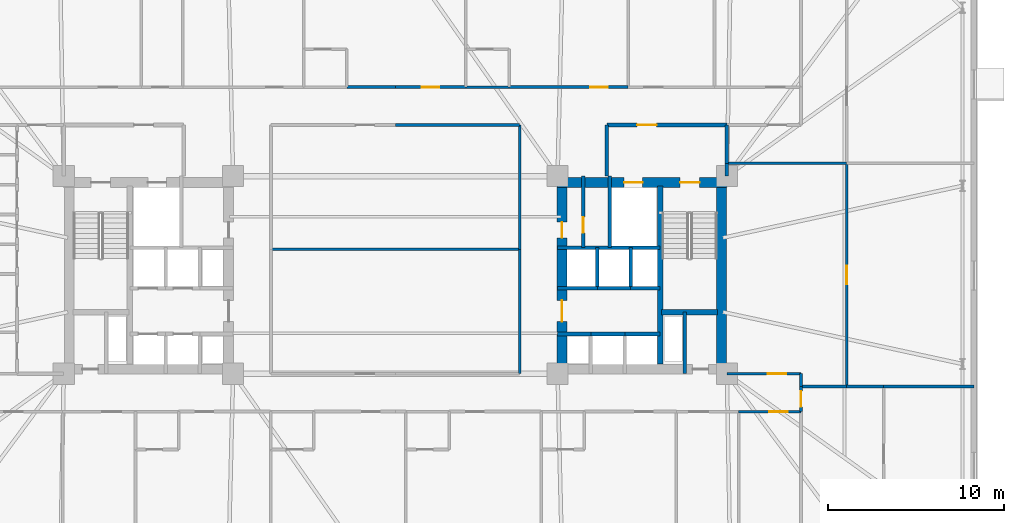
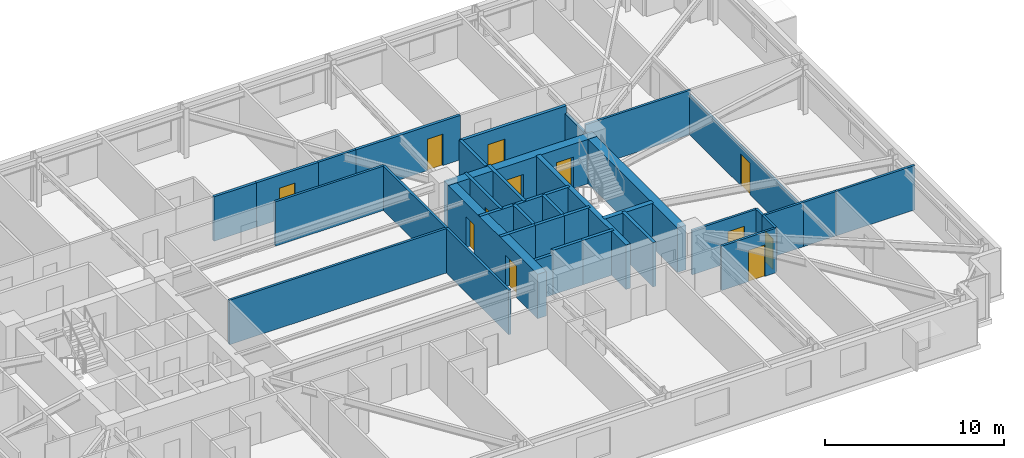
# One storey, part 17 of 21: 38 walls, 12 doors, 12 openings.
"""IFC4 building model written with IfcOpenShell, lengths in metres."""

from ifc_helpers import new_model, si_unit, direction, frame, frame_2d, origin, place, context, subcontext, project, spatial, rectangle, extrude, material, layer, layer_set, type_object, element, fill, save


model = new_model("IFC4")

# Units and contexts
model_context = context("Model", 3, precision=1e-05, world=origin(), true_north=direction((0.0, 1.0)))
body_context = subcontext(model_context, "Body", "Model", "MODEL_VIEW")
ifc_project = project(units=[si_unit("LENGTHUNIT", "METRE"), si_unit("AREAUNIT", "SQUARE_METRE"), si_unit("VOLUMEUNIT", "CUBIC_METRE"), si_unit("PLANEANGLEUNIT", "RADIAN"), si_unit("MASSUNIT", "GRAM", prefix="KILO")], contexts=[model_context])

# Site, building, storey
site_placement = place(None, origin())
site = spatial("IfcSite", under=ifc_project, at=site_placement, CompositionType="ELEMENT")
building_placement = place(site_placement, origin())
building = spatial("IfcBuilding", under=site, at=building_placement, Name="Qobustan Lattice House", CompositionType="ELEMENT")
storey_placement = place(building_placement, frame((0.0, 0.0, 37.050048828125)))
storey = spatial("IfcBuildingStorey", under=building, at=storey_placement, Name="L09", CompositionType="ELEMENT", Elevation=37.050048828125)

# Wall, openings, doors
ifc_material_1 = material(Name="Concrete C60/75", Category="concrete")
ifc_layer_1 = layer(ifc_material_1, 0.56005859375)
ifc_layer_set_1 = layer_set([ifc_layer_1], Name="Concrete C60/75")
wall_type_1 = type_object("IfcWallType", Name="WAL-CORE-600", PredefinedType="SHEAR", material=ifc_layer_set_1)
wall_1_placement = place(storey_placement, frame((9.199951171875, 5.239990234375, 0.0), z_axis=(0.0, 0.0, 1.0), x_axis=(1.0, 0.0, 0.0)))
wall_1 = element("IfcWall", 1, at=wall_1_placement, inside=storey, type_object=wall_type_1, Name="L09 split-core shear wall CE-N", PredefinedType="SHEAR", context=body_context, shape_type="SweptSolid", body=[
    extrude(rectangle(XDim=9.60009765625, YDim=0.56005859375, at=frame_2d((4.800048828125, 0.0))), origin(), (0.0, 0.0, 1.0), 3.034912109375),
])
opening_1_placement = place(wall_1_placement, frame((6.949951171875, 0.0, 0.0)))
opening_1 = element("IfcOpeningElement", 2, at=opening_1_placement, cuts=wall_1, Name="Opening SD-01", PredefinedType="OPENING", context=body_context, shape_type="SweptSolid", body=[
    extrude(rectangle(XDim=1.10009765625, YDim=2.14990234375, at=frame_2d((0.550048828125, 1.074951171875))), frame((0.0, 0.2900390625, 0.0), z_axis=(0.0, -1.0, 0.0), x_axis=(1.0, 0.0, 0.0)), (0.0, 0.0, 1.0), 0.580078125),
])
opening_2_placement = place(wall_1_placement, frame((3.77490234375, 0.0, 0.0)))
opening_2 = element("IfcOpeningElement", 3, at=opening_2_placement, cuts=wall_1, Name="Opening LD-01", PredefinedType="OPENING", context=body_context, shape_type="SweptSolid", body=[
    extrude(rectangle(XDim=1.050048828125, YDim=2.10009765625, at=frame_2d((0.52490234375, 1.050048828125))), frame((0.0, 0.2900390625, 0.0), z_axis=(0.0, -1.0, 0.0), x_axis=(1.0, 0.0, 0.0)), (0.0, 0.0, 1.0), 0.580078125),
])
ifc_material_2 = material(Name="Persian walnut timber and steel frame door", Category="steel")
door_type_1 = type_object("IfcDoorType", Name="DOR-LIFT-LD-1050x2100", OperationType="NOTDEFINED", PredefinedType="DOOR", material=ifc_material_2)
door_1_placement = place(opening_2_placement, origin())
door_1 = element("IfcDoor", 4, at=door_1_placement, inside=storey, type_object=door_type_1, Name="L09 firefighting lift FF-E landing door", OperationType="DOUBLE_DOOR_SLIDING", OverallHeight=2.10009765625, OverallWidth=1.050048828125, PredefinedType="DOOR", context=body_context, shape_type="SweptSolid", body=[
    extrude(rectangle(XDim=1.050048828125, YDim=2.10009765625, at=frame_2d((0.52490234375, 1.050048828125))), frame((0.0, 0.02490234375, 0.0), z_axis=(0.0, -1.0, 0.0), x_axis=(1.0, 0.0, 0.0)), (0.0, 0.0, 1.0), 0.050048828125),
])
fill(opening_2, door_1)
ifc_material_3 = material(Name="Persian walnut timber and steel frame door", Category="steel")
door_type_2 = type_object("IfcDoorType", Name="DOR-STAIR-FD-1100x2150", OperationType="NOTDEFINED", PredefinedType="DOOR", material=ifc_material_3)
door_2_placement = place(opening_1_placement, origin())
door_2 = element("IfcDoor", 5, at=door_2_placement, inside=storey, type_object=door_type_2, Name="L09 exit stair ST-E1 fire door", OperationType="SINGLE_SWING_RIGHT", OverallHeight=2.14990234375, OverallWidth=1.10009765625, PredefinedType="DOOR", context=body_context, shape_type="SweptSolid", body=[
    extrude(rectangle(XDim=1.10009765625, YDim=2.14990234375, at=frame_2d((0.550048828125, 1.074951171875))), frame((0.0, 0.02490234375, 0.0), z_axis=(0.0, -1.0, 0.0), x_axis=(1.0, 0.0, 0.0)), (0.0, 0.0, 1.0), 0.050048828125),
])
fill(opening_1, door_2)

wall_2_placement = place(storey_placement, frame((9.449951171875, -5.050048828125, 0.0), z_axis=(0.0, 0.0, 1.0), x_axis=(0.0, 1.0, 0.0)))
wall_2 = element("IfcWall", 6, at=wall_2_placement, inside=storey, type_object=wall_type_1, Name="L09 split-core shear wall CE-W", PredefinedType="SHEAR", context=body_context, shape_type="SweptSolid", body=[
    extrude(rectangle(XDim=10.10009765625, YDim=0.56005859375, at=frame_2d((5.050048828125, 0.0))), origin(), (0.0, 0.0, 1.0), 3.034912109375),
])
opening_3_placement = place(wall_2_placement, frame((7.14990234375, 0.0, 0.0)))
opening_3 = element("IfcOpeningElement", 7, at=opening_3_placement, cuts=wall_2, Name="Opening RD-01", PredefinedType="OPENING", context=body_context, shape_type="SweptSolid", body=[
    extrude(rectangle(XDim=0.89990234375, YDim=2.10009765625, at=frame_2d((0.449951171875, 1.050048828125))), frame((0.0, 0.2900390625, 0.0), z_axis=(0.0, -1.0, 0.0), x_axis=(1.0, 0.0, 0.0)), (0.0, 0.0, 1.0), 0.580078125),
])
opening_4_placement = place(wall_2_placement, frame((2.39990234375, 0.0, 0.0)))
opening_4 = element("IfcOpeningElement", 8, at=opening_4_placement, cuts=wall_2, Name="Opening FD-01", PredefinedType="OPENING", context=body_context, shape_type="SweptSolid", body=[
    extrude(rectangle(XDim=1.199951171875, YDim=2.14990234375, at=frame_2d((0.60009765625, 1.074951171875))), frame((0.0, 0.2900390625, 0.0), z_axis=(0.0, -1.0, 0.0), x_axis=(1.0, 0.0, 0.0)), (0.0, 0.0, 1.0), 0.580078125),
])
ifc_material_4 = material(Name="Persian walnut timber and steel frame door", Category="steel")
door_type_3 = type_object("IfcDoorType", Name="DOR-LOBBY-FD-1200x2150", OperationType="NOTDEFINED", PredefinedType="DOOR", material=ifc_material_4)
door_3_placement = place(opening_4_placement, origin())
door_3 = element("IfcDoor", 9, at=door_3_placement, inside=storey, type_object=door_type_3, Name="L09 East passenger lift lobby fire door", OperationType="SINGLE_SWING_LEFT", OverallHeight=2.14990234375, OverallWidth=1.199951171875, PredefinedType="DOOR", context=body_context, shape_type="SweptSolid", body=[
    extrude(rectangle(XDim=1.199951171875, YDim=2.14990234375, at=frame_2d((0.60009765625, 1.074951171875))), frame((0.0, 0.02490234375, 0.0), z_axis=(0.0, -1.0, 0.0), x_axis=(1.0, 0.0, 0.0)), (0.0, 0.0, 1.0), 0.050048828125),
])
fill(opening_4, door_3)
ifc_material_5 = material(Name="Persian walnut timber and steel frame door", Category="steel")
door_type_4 = type_object("IfcDoorType", Name="DOR-RISER-FD-900x2100", OperationType="NOTDEFINED", PredefinedType="DOOR", material=ifc_material_5)
door_4_placement = place(opening_3_placement, origin())
door_4 = element("IfcDoor", 10, at=door_4_placement, inside=storey, type_object=door_type_4, Name="L09 Print and mail closet fire door", OperationType="SINGLE_SWING_RIGHT", OverallHeight=2.10009765625, OverallWidth=0.89990234375, PredefinedType="DOOR", context=body_context, shape_type="SweptSolid", body=[
    extrude(rectangle(XDim=0.89990234375, YDim=2.10009765625, at=frame_2d((0.449951171875, 1.050048828125))), frame((0.0, 0.02490234375, 0.0), z_axis=(0.0, -1.0, 0.0), x_axis=(1.0, 0.0, 0.0)), (0.0, 0.0, 1.0), 0.050048828125),
])
fill(opening_3, door_4)

# Walls
wall_3_placement = place(storey_placement, frame((18.489990234375, -5.050048828125, 0.0), z_axis=(0.0, 0.0, 1.0), x_axis=(0.0, 1.0, 0.0)))
element("IfcWall", 11, at=wall_3_placement, inside=storey, type_object=wall_type_1, Name="L09 split-core shear wall CE-E", PredefinedType="SHEAR", context=body_context, shape_type="SweptSolid", body=[
    extrude(rectangle(XDim=10.10009765625, YDim=0.56005859375, at=frame_2d((5.050048828125, 0.0))), origin(), (0.0, 0.0, 1.0), 3.034912109375),
])
ifc_material_6 = material(Name="Concrete C50/60", Category="concrete")
ifc_layer_2 = layer(ifc_material_6, 0.280029296875)
ifc_layer_set_2 = layer_set([ifc_layer_2], Name="Concrete C50/60")
wall_type_2 = type_object("IfcWallType", Name="WAL-CORE-SPINE-280", PredefinedType="SHEAR", material=ifc_layer_set_2)
wall_4_placement = place(storey_placement, frame((15.02001953125, -5.050048828125, 0.0), z_axis=(0.0, 0.0, 1.0), x_axis=(0.0, 1.0, 0.0)))
element("IfcWall", 12, at=wall_4_placement, inside=storey, type_object=wall_type_2, Name="L09 split-core shear wall CE-M", PredefinedType="SHEAR", context=body_context, shape_type="SweptSolid", body=[
    extrude(rectangle(XDim=10.10009765625, YDim=0.300048828125, at=frame_2d((5.050048828125, 0.0))), origin(), (0.0, 0.0, 1.0), 3.034912109375),
])
wall_5_placement = place(storey_placement, frame((15.10009765625, -2.110107421875, 0.0), z_axis=(0.0, 0.0, 1.0), x_axis=(1.0, 0.0, 0.0)))
element("IfcWall", 13, at=wall_5_placement, inside=storey, type_object=wall_type_2, Name="L09 split-core shear wall CE-ST", PredefinedType="SHEAR", context=body_context, shape_type="SweptSolid", body=[
    extrude(rectangle(XDim=3.179931640625, YDim=0.300048828125, at=frame_2d((1.58984375, 0.0))), origin(), (0.0, 0.0, 1.0), 3.034912109375),
])

# Wall, opening, door
ifc_material_7 = material(Name="Gypsum fireboard acoustic partition", Category="gypsum")
ifc_layer_3 = layer(ifc_material_7, 0.179931640625)
ifc_layer_set_3 = layer_set([ifc_layer_3], Name="Gypsum fireboard acoustic partition")
wall_type_3 = type_object("IfcWallType", Name="WAL-FIRE-180", PredefinedType="PARTITIONING", material=ifc_layer_set_3)
wall_6_placement = place(storey_placement, frame((10.64990234375, 1.550048828125, 0.0), z_axis=(0.0, 0.0, 1.0), x_axis=(0.0, 1.0, 0.0)))
wall_6 = element("IfcWall", 14, at=wall_6_placement, inside=storey, type_object=wall_type_3, Name="L09 interior partition 24", PredefinedType="PARTITIONING", context=body_context, shape_type="SweptSolid", body=[
    extrude(rectangle(XDim=4.050048828125, YDim=0.179931640625, at=frame_2d((2.02490234375, 0.0))), origin(), (0.0, 0.0, 1.0), 3.034912109375),
])
opening_5_placement = place(wall_6_placement, frame((0.828857421875, 0.0, 0.0)))
opening_5 = element("IfcOpeningElement", 15, at=opening_5_placement, cuts=wall_6, Name="Opening RD-01", PredefinedType="OPENING", context=body_context, shape_type="SweptSolid", body=[
    extrude(rectangle(XDim=0.89990234375, YDim=2.10009765625, at=frame_2d((0.449951171875, 1.050048828125))), frame((0.0, 0.099853515625, 0.0), z_axis=(0.0, -1.0, 0.0), x_axis=(1.0, 0.0, 0.0)), (0.0, 0.0, 1.0), 0.199951171875),
])
door_5_placement = place(opening_5_placement, origin())
door_5 = element("IfcDoor", 16, at=door_5_placement, inside=storey, type_object=door_type_4, Name="L09 Print and mail closet to Core utility store door", OperationType="SINGLE_SWING_LEFT", OverallHeight=2.10009765625, OverallWidth=0.89990234375, PredefinedType="DOOR", context=body_context, shape_type="SweptSolid", body=[
    extrude(rectangle(XDim=0.89990234375, YDim=2.10009765625, at=frame_2d((0.449951171875, 1.050048828125))), frame((0.0, 0.02490234375, 0.0), z_axis=(0.0, -1.0, 0.0), x_axis=(1.0, 0.0, 0.0)), (0.0, 0.0, 1.0), 0.050048828125),
])
fill(opening_5, door_5)

# Wall
wall_7_placement = place(storey_placement, frame((-2.75, 10.64990234375, 0.0), z_axis=(0.0, 0.0, 1.0), x_axis=(1.0, 0.0, 0.0)))
element("IfcWall", 17, at=wall_7_placement, inside=storey, type_object=wall_type_3, Name="L09 interior partition 42", PredefinedType="PARTITIONING", context=body_context, shape_type="SweptSolid", body=[
    extrude(rectangle(XDim=2.75, YDim=0.179931640625, at=frame_2d((1.375, 0.0))), origin(), (0.0, 0.0, 1.0), 3.034912109375),
])

# Wall, opening, door
wall_8_placement = place(storey_placement, frame((0.0, 10.64990234375, 0.0), z_axis=(0.0, 0.0, 1.0), x_axis=(1.0, 0.0, 0.0)))
wall_8 = element("IfcWall", 18, at=wall_8_placement, inside=storey, type_object=wall_type_3, Name="L09 interior partition 47", PredefinedType="PARTITIONING", context=body_context, shape_type="SweptSolid", body=[
    extrude(rectangle(XDim=4.0, YDim=0.179931640625, at=frame_2d((2.0, 0.0))), origin(), (0.0, 0.0, 1.0), 3.034912109375),
])
opening_6_placement = place(wall_8_placement, frame((1.5, 0.0, 0.0)))
opening_6 = element("IfcOpeningElement", 19, at=opening_6_placement, cuts=wall_8, Name="Opening FD-02", PredefinedType="OPENING", context=body_context, shape_type="SweptSolid", body=[
    extrude(rectangle(XDim=1.0, YDim=2.14990234375, at=frame_2d((0.5, 1.074951171875))), frame((0.0, 0.099853515625, 0.0), z_axis=(0.0, -1.0, 0.0), x_axis=(1.0, 0.0, 0.0)), (0.0, 0.0, 1.0), 0.199951171875),
])
ifc_material_8 = material(Name="Persian walnut timber and steel frame door", Category="steel")
door_type_5 = type_object("IfcDoorType", Name="DOR-UNIT-FD-1000x2150", OperationType="NOTDEFINED", PredefinedType="DOOR", material=ifc_material_8)
door_6_placement = place(opening_6_placement, origin())
door_6 = element("IfcDoor", 20, at=door_6_placement, inside=storey, type_object=door_type_5, Name="L09 North-east floor corridor to Kitchenette and studio apartment L09-N3 door", OperationType="SINGLE_SWING_RIGHT", OverallHeight=2.14990234375, OverallWidth=1.0, PredefinedType="DOOR", context=body_context, shape_type="SweptSolid", body=[
    extrude(rectangle(XDim=1.0, YDim=2.14990234375, at=frame_2d((0.5, 1.074951171875))), frame((0.0, 0.02490234375, 0.0), z_axis=(0.0, -1.0, 0.0), x_axis=(1.0, 0.0, 0.0)), (0.0, 0.0, 1.0), 0.050048828125),
])
fill(opening_6, door_6)

wall_9_placement = place(storey_placement, frame((6.449951171875, 10.64990234375, 0.0), z_axis=(0.0, 0.0, 1.0), x_axis=(1.0, 0.0, 0.0)))
wall_9 = element("IfcWall", 21, at=wall_9_placement, inside=storey, type_object=wall_type_3, Name="L09 interior partition 48", PredefinedType="PARTITIONING", context=body_context, shape_type="SweptSolid", body=[
    extrude(rectangle(XDim=6.75, YDim=0.179931640625, at=frame_2d((3.375, 0.0))), origin(), (0.0, 0.0, 1.0), 3.034912109375),
])
opening_7_placement = place(wall_9_placement, frame((4.59619140625, 0.0, 0.0)))
opening_7 = element("IfcOpeningElement", 22, at=opening_7_placement, cuts=wall_9, Name="Opening FD-02", PredefinedType="OPENING", context=body_context, shape_type="SweptSolid", body=[
    extrude(rectangle(XDim=1.0, YDim=2.14990234375, at=frame_2d((0.5, 1.074951171875))), frame((0.0, 0.099853515625, 0.0), z_axis=(0.0, -1.0, 0.0), x_axis=(1.0, 0.0, 0.0)), (0.0, 0.0, 1.0), 0.199951171875),
])
door_7_placement = place(opening_7_placement, origin())
door_7 = element("IfcDoor", 23, at=door_7_placement, inside=storey, type_object=door_type_5, Name="L09 North-east floor corridor to Kitchenette and studio apartment L09-N4 door", OperationType="SINGLE_SWING_LEFT", OverallHeight=2.14990234375, OverallWidth=1.0, PredefinedType="DOOR", context=body_context, shape_type="SweptSolid", body=[
    extrude(rectangle(XDim=1.0, YDim=2.14990234375, at=frame_2d((0.5, 1.074951171875))), frame((0.0, 0.02490234375, 0.0), z_axis=(0.0, -1.0, 0.0), x_axis=(1.0, 0.0, 0.0)), (0.0, 0.0, 1.0), 0.050048828125),
])
fill(opening_7, door_7)

# Wall
ifc_material_9 = material(Name="Acoustic twin-stud gypsum partition", Category="gypsum")
ifc_layer_4 = layer(ifc_material_9, 0.14990234375)
ifc_layer_set_4 = layer_set([ifc_layer_4], Name="Acoustic twin-stud gypsum partition")
wall_type_4 = type_object("IfcWallType", Name="WAL-PART-150", PredefinedType="PARTITIONING", material=ifc_layer_set_4)
wall_10_placement = place(storey_placement, frame((7.050048828125, 8.5, 0.0), z_axis=(0.0, 0.0, 1.0), x_axis=(-1.0, 0.0, 0.0)))
element("IfcWall", 24, at=wall_10_placement, inside=storey, type_object=wall_type_4, Name="L09 interior partition 52", PredefinedType="PARTITIONING", context=body_context, shape_type="SweptSolid", body=[
    extrude(rectangle(XDim=7.050048828125, YDim=0.14990234375, at=frame_2d((3.52490234375, 0.0))), origin(), (0.0, 0.0, 1.0), 3.034912109375),
])

# Wall, opening, door
wall_11_placement = place(storey_placement, frame((23.0, -6.326904296875, 0.0), z_axis=(0.0, 0.0, 1.0), x_axis=(0.0, -1.0, 0.0)))
wall_11 = element("IfcWall", 25, at=wall_11_placement, inside=storey, type_object=wall_type_4, Name="L09 interior partition 62", PredefinedType="PARTITIONING", context=body_context, shape_type="SweptSolid", body=[
    extrude(rectangle(XDim=1.423095703125, YDim=0.14990234375, at=frame_2d((0.71142578125, 0.0))), origin(), (0.0, 0.0, 1.0), 3.034912109375),
])
opening_8_placement = place(wall_11_placement, frame((0.261474609375, 0.0, 0.0)))
opening_8 = element("IfcOpeningElement", 26, at=opening_8_placement, cuts=wall_11, Name="Opening WD-01", PredefinedType="OPENING", context=body_context, shape_type="SweptSolid", body=[
    extrude(rectangle(XDim=0.89990234375, YDim=2.10009765625, at=frame_2d((0.449951171875, 1.050048828125))), frame((0.0, 0.0849609375, 0.0), z_axis=(0.0, -1.0, 0.0), x_axis=(1.0, 0.0, 0.0)), (0.0, 0.0, 1.0), 0.169921875),
])
ifc_material_10 = material(Name="Persian walnut timber and steel frame door", Category="steel")
door_type_6 = type_object("IfcDoorType", Name="DOR-WET-900x2100", OperationType="NOTDEFINED", PredefinedType="DOOR", material=ifc_material_10)
door_8_placement = place(opening_8_placement, origin())
door_8 = element("IfcDoor", 27, at=door_8_placement, inside=storey, type_object=door_type_6, Name="L09 South-east floor corridor to Focus study room E1A door", OperationType="SINGLE_SWING_LEFT", OverallHeight=2.10009765625, OverallWidth=0.89990234375, PredefinedType="DOOR", context=body_context, shape_type="SweptSolid", body=[
    extrude(rectangle(XDim=0.89990234375, YDim=2.10009765625, at=frame_2d((0.449951171875, 1.050048828125))), frame((0.0, 0.02490234375, 0.0), z_axis=(0.0, -1.0, 0.0), x_axis=(1.0, 0.0, 0.0)), (0.0, 0.0, 1.0), 0.050048828125),
])
fill(opening_8, door_8)

wall_12_placement = place(storey_placement, frame((18.800048828125, -5.60009765625, 0.0), z_axis=(0.0, 0.0, 1.0), x_axis=(1.0, 0.0, 0.0)))
wall_12 = element("IfcWall", 28, at=wall_12_placement, inside=storey, type_object=wall_type_4, Name="L09 interior partition 63", PredefinedType="PARTITIONING", context=body_context, shape_type="SweptSolid", body=[
    extrude(rectangle(XDim=4.199951171875, YDim=0.14990234375, at=frame_2d((2.10009765625, 0.0))), origin(), (0.0, 0.0, 1.0), 3.034912109375),
])
opening_9_placement = place(wall_12_placement, frame((2.3212890625, 0.0, 0.0)))
opening_9 = element("IfcOpeningElement", 29, at=opening_9_placement, cuts=wall_12, Name="Opening ID-02", PredefinedType="OPENING", context=body_context, shape_type="SweptSolid", body=[
    extrude(rectangle(XDim=1.050048828125, YDim=2.14990234375, at=frame_2d((0.52490234375, 1.074951171875))), frame((0.0, 0.0849609375, 0.0), z_axis=(0.0, -1.0, 0.0), x_axis=(1.0, 0.0, 0.0)), (0.0, 0.0, 1.0), 0.169921875),
])
ifc_material_11 = material(Name="Persian walnut timber and steel frame door", Category="steel")
door_type_7 = type_object("IfcDoorType", Name="DOR-STUDY-1050x2150", OperationType="NOTDEFINED", PredefinedType="DOOR", material=ifc_material_11)
door_9_placement = place(opening_9_placement, origin())
door_9 = element("IfcDoor", 30, at=door_9_placement, inside=storey, type_object=door_type_7, Name="L09 South-east floor corridor to Focus study room E2A door", OperationType="SINGLE_SWING_RIGHT", OverallHeight=2.14990234375, OverallWidth=1.050048828125, PredefinedType="DOOR", context=body_context, shape_type="SweptSolid", body=[
    extrude(rectangle(XDim=1.050048828125, YDim=2.14990234375, at=frame_2d((0.52490234375, 1.074951171875))), frame((0.0, 0.02490234375, 0.0), z_axis=(0.0, -1.0, 0.0), x_axis=(1.0, 0.0, 0.0)), (0.0, 0.0, 1.0), 0.050048828125),
])
fill(opening_9, door_9)

# Wall
wall_13_placement = place(storey_placement, frame((23.0, -5.60009765625, 0.0), z_axis=(0.0, 0.0, 1.0), x_axis=(0.0, -1.0, 0.0)))
element("IfcWall", 31, at=wall_13_placement, inside=storey, type_object=wall_type_4, Name="L09 interior partition 64", PredefinedType="PARTITIONING", context=body_context, shape_type="SweptSolid", body=[
    extrude(rectangle(XDim=0.726806640625, YDim=0.14990234375, at=frame_2d((0.36328125, 0.0))), origin(), (0.0, 0.0, 1.0), 3.034912109375),
])

# Wall, opening, door
wall_14_placement = place(storey_placement, frame((23.0, -7.75, 0.0), z_axis=(0.0, 0.0, 1.0), x_axis=(-1.0, 0.0, 0.0)))
wall_14 = element("IfcWall", 32, at=wall_14_placement, inside=storey, type_object=wall_type_4, Name="L09 interior partition 71", PredefinedType="PARTITIONING", context=body_context, shape_type="SweptSolid", body=[
    extrude(rectangle(XDim=3.533447265625, YDim=0.14990234375, at=frame_2d((1.7666015625, 0.0))), origin(), (0.0, 0.0, 1.0), 3.034912109375),
])
opening_10_placement = place(wall_14_placement, frame((0.745361328125, 0.0, 0.0)))
opening_10 = element("IfcOpeningElement", 33, at=opening_10_placement, cuts=wall_14, Name="Opening ID-02", PredefinedType="OPENING", context=body_context, shape_type="SweptSolid", body=[
    extrude(rectangle(XDim=1.050048828125, YDim=2.14990234375, at=frame_2d((0.52490234375, 1.074951171875))), frame((0.0, 0.0849609375, 0.0), z_axis=(0.0, -1.0, 0.0), x_axis=(1.0, 0.0, 0.0)), (0.0, 0.0, 1.0), 0.169921875),
])
door_10_placement = place(opening_10_placement, origin())
door_10 = element("IfcDoor", 34, at=door_10_placement, inside=storey, type_object=door_type_7, Name="L09 South-east floor corridor to Academic seminar room door", OperationType="SINGLE_SWING_RIGHT", OverallHeight=2.14990234375, OverallWidth=1.050048828125, PredefinedType="DOOR", context=body_context, shape_type="SweptSolid", body=[
    extrude(rectangle(XDim=1.050048828125, YDim=2.14990234375, at=frame_2d((0.52490234375, 1.074951171875))), frame((0.0, 0.02490234375, 0.0), z_axis=(0.0, -1.0, 0.0), x_axis=(1.0, 0.0, 0.0)), (0.0, 0.0, 1.0), 0.050048828125),
])
fill(opening_10, door_10)

# Walls
for number, where, z_axis, x_axis, name in (
    (35, (7.050048828125, -5.60009765625, 0.0), (0.0, 0.0, 1.0), (0.0, 1.0, 0.0), "L09 interior partition 75"),
    (36, (7.050048828125, 1.449951171875, 0.0), (0.0, 0.0, 1.0), (0.0, 1.0, 0.0), "L09 interior partition 76"),
):
    element("IfcWall", number, at=place(storey_placement, frame(where, z_axis=z_axis, x_axis=x_axis)), inside=storey, type_object=wall_type_4, Name=name, PredefinedType="PARTITIONING", context=body_context, shape_type="SweptSolid", body=[
        extrude(rectangle(XDim=7.050048828125, YDim=0.14990234375, at=frame_2d((3.52490234375, 0.0))), origin(), (0.0, 0.0, 1.0), 3.034912109375),
    ])
wall_15_placement = place(storey_placement, frame((23.0, -6.326904296875, 0.0), z_axis=(0.0, 0.0, 1.0), x_axis=(1.0, 0.0, 0.0)))
element("IfcWall", 37, at=wall_15_placement, inside=storey, type_object=wall_type_4, Name="L09 interior partition 92", PredefinedType="PARTITIONING", context=body_context, shape_type="SweptSolid", body=[
    extrude(rectangle(XDim=2.590087890625, YDim=0.14990234375, at=frame_2d((1.294921875, 0.0))), origin(), (0.0, 0.0, 1.0), 3.034912109375),
])
wall_16_placement = place(storey_placement, frame((25.590087890625, -6.326904296875, 0.0), z_axis=(0.0, 0.0, 1.0), x_axis=(1.0, 0.0, 0.0)))
element("IfcWall", 38, at=wall_16_placement, inside=storey, type_object=wall_type_4, Name="L09 interior partition 93", PredefinedType="PARTITIONING", context=body_context, shape_type="SweptSolid", body=[
    extrude(rectangle(XDim=2.099853515625, YDim=0.14990234375, at=frame_2d((1.0498046875, 0.0))), origin(), (0.0, 0.0, 1.0), 3.034912109375),
])
wall_17_placement = place(storey_placement, frame((27.68994140625, -6.326904296875, 0.0), z_axis=(0.0, 0.0, 1.0), x_axis=(1.0, 0.0, 0.0)))
element("IfcWall", 39, at=wall_17_placement, inside=storey, type_object=wall_type_4, Name="L09 interior partition 95", PredefinedType="PARTITIONING", context=body_context, shape_type="SweptSolid", body=[
    extrude(rectangle(XDim=5.110107421875, YDim=0.14990234375, at=frame_2d((2.55517578125, 0.0))), origin(), (0.0, 0.0, 1.0), 3.034912109375),
])

# Wall, opening, door
wall_18_placement = place(storey_placement, frame((25.590087890625, 6.326904296875, 0.0), z_axis=(0.0, 0.0, 1.0), x_axis=(0.0, -1.0, 0.0)))
wall_18 = element("IfcWall", 40, at=wall_18_placement, inside=storey, type_object=wall_type_4, Name="L09 interior partition 96", PredefinedType="PARTITIONING", context=body_context, shape_type="SweptSolid", body=[
    extrude(rectangle(XDim=12.65380859375, YDim=0.14990234375, at=frame_2d((6.326904296875, 0.0))), origin(), (0.0, 0.0, 1.0), 2.68994140625),
])
opening_11_placement = place(wall_18_placement, frame((5.802001953125, 0.0, 0.0)))
opening_11 = element("IfcOpeningElement", 41, at=opening_11_placement, cuts=wall_18, Name="Opening ID-02", PredefinedType="OPENING", context=body_context, shape_type="SweptSolid", body=[
    extrude(rectangle(XDim=1.050048828125, YDim=2.14990234375, at=frame_2d((0.52490234375, 1.074951171875))), frame((0.0, 0.0849609375, 0.0), z_axis=(0.0, -1.0, 0.0), x_axis=(1.0, 0.0, 0.0)), (0.0, 0.0, 1.0), 0.169921875),
])
door_11_placement = place(opening_11_placement, origin())
door_11 = element("IfcDoor", 42, at=door_11_placement, inside=storey, type_object=door_type_7, Name="L09 Focus study room E2A to Focus study room E2B door", OperationType="SINGLE_SWING_LEFT", OverallHeight=2.14990234375, OverallWidth=1.050048828125, PredefinedType="DOOR", context=body_context, shape_type="SweptSolid", body=[
    extrude(rectangle(XDim=1.050048828125, YDim=2.14990234375, at=frame_2d((0.52490234375, 1.074951171875))), frame((0.0, 0.02490234375, 0.0), z_axis=(0.0, -1.0, 0.0), x_axis=(1.0, 0.0, 0.0)), (0.0, 0.0, 1.0), 0.050048828125),
])
fill(opening_11, door_11)

# Walls
wall_19_placement = place(storey_placement, frame((18.800048828125, 6.326904296875, 0.0), z_axis=(0.0, 0.0, 1.0), x_axis=(1.0, 0.0, 0.0)))
element("IfcWall", 43, at=wall_19_placement, inside=storey, type_object=wall_type_4, Name="L09 interior partition 97", PredefinedType="PARTITIONING", context=body_context, shape_type="SweptSolid", body=[
    extrude(rectangle(XDim=6.7900390625, YDim=0.14990234375, at=frame_2d((3.39501953125, 0.0))), origin(), (0.0, 0.0, 1.0), 3.034912109375),
])
wall_20_placement = place(storey_placement, frame((-7.050048828125, 1.449951171875, 0.0), z_axis=(0.0, 0.0, 1.0), x_axis=(1.0, 0.0, 0.0)))
element("IfcWall", 44, at=wall_20_placement, inside=storey, type_object=wall_type_4, Name="L09 interior partition 132", PredefinedType="PARTITIONING", context=body_context, shape_type="SweptSolid", body=[
    extrude(rectangle(XDim=14.10009765625, YDim=0.14990234375, at=frame_2d((7.050048828125, 0.0))), origin(), (0.0, 0.0, 1.0), 3.034912109375),
])

# Wall, opening, door
ifc_material_12 = material(Name="Two-hour gypsum fireboard acoustic partition", Category="gypsum")
ifc_layer_5 = layer(ifc_material_12, 0.199951171875)
ifc_layer_set_5 = layer_set([ifc_layer_5], Name="Two-hour gypsum fireboard acoustic partition")
wall_type_5 = type_object("IfcWallType", Name="WAL-PROT-200", PredefinedType="PARTITIONING", material=ifc_layer_set_5)
wall_21_placement = place(storey_placement, frame((18.800048828125, 8.5, 0.0), z_axis=(0.0, 0.0, 1.0), x_axis=(-1.0, 0.0, 0.0)))
wall_21 = element("IfcWall", 45, at=wall_21_placement, inside=storey, type_object=wall_type_5, Name="L09 interior partition 20", PredefinedType="PARTITIONING", context=body_context, shape_type="SweptSolid", body=[
    extrude(rectangle(XDim=6.800048828125, YDim=0.199951171875, at=frame_2d((3.39990234375, 0.0))), origin(), (0.0, 0.0, 1.0), 3.034912109375),
])
opening_12_placement = place(wall_21_placement, frame((3.985107421875, 0.0, 0.0)))
opening_12 = element("IfcOpeningElement", 46, at=opening_12_placement, cuts=wall_21, Name="Opening SD-01", PredefinedType="OPENING", context=body_context, shape_type="SweptSolid", body=[
    extrude(rectangle(XDim=1.10009765625, YDim=2.14990234375, at=frame_2d((0.550048828125, 1.074951171875))), frame((0.0, 0.10986328125, 0.0), z_axis=(0.0, -1.0, 0.0), x_axis=(1.0, 0.0, 0.0)), (0.0, 0.0, 1.0), 0.219970703125),
])
door_12_placement = place(opening_12_placement, origin())
door_12 = element("IfcDoor", 47, at=door_12_placement, inside=storey, type_object=door_type_2, Name="L09 East firefighting lift lobby to North-east floor corridor door", OperationType="SINGLE_SWING_RIGHT", OverallHeight=2.14990234375, OverallWidth=1.10009765625, PredefinedType="DOOR", context=body_context, shape_type="SweptSolid", body=[
    extrude(rectangle(XDim=1.10009765625, YDim=2.14990234375, at=frame_2d((0.550048828125, 1.074951171875))), frame((0.0, 0.02490234375, 0.0), z_axis=(0.0, -1.0, 0.0), x_axis=(1.0, 0.0, 0.0)), (0.0, 0.0, 1.0), 0.050048828125),
])
fill(opening_12, door_12)

# Walls
wall_22_placement = place(storey_placement, frame((12.0, 8.5, 0.0), z_axis=(0.0, 0.0, 1.0), x_axis=(0.0, -1.0, 0.0)))
element("IfcWall", 48, at=wall_22_placement, inside=storey, type_object=wall_type_5, Name="L09 interior partition 21", PredefinedType="PARTITIONING", context=body_context, shape_type="SweptSolid", body=[
    extrude(rectangle(XDim=2.89990234375, YDim=0.199951171875, at=frame_2d((1.449951171875, 0.0))), origin(), (0.0, 0.0, 1.0), 3.034912109375),
])
wall_23_placement = place(storey_placement, frame((18.800048828125, 5.60009765625, 0.0), z_axis=(0.0, 0.0, 1.0), x_axis=(0.0, 1.0, 0.0)))
element("IfcWall", 49, at=wall_23_placement, inside=storey, type_object=wall_type_5, Name="L09 interior partition 22", PredefinedType="PARTITIONING", context=body_context, shape_type="SweptSolid", body=[
    extrude(rectangle(XDim=0.726806640625, YDim=0.199951171875, at=frame_2d((0.36328125, 0.0))), origin(), (0.0, 0.0, 1.0), 2.52001953125),
])
wall_24_placement = place(storey_placement, frame((18.800048828125, 6.326904296875, 0.0), z_axis=(0.0, 0.0, 1.0), x_axis=(0.0, 1.0, 0.0)))
element("IfcWall", 50, at=wall_24_placement, inside=storey, type_object=wall_type_5, Name="L09 interior partition 23", PredefinedType="PARTITIONING", context=body_context, shape_type="SweptSolid", body=[
    extrude(rectangle(XDim=2.173095703125, YDim=0.199951171875, at=frame_2d((1.08642578125, 0.0))), origin(), (0.0, 0.0, 1.0), 2.52001953125),
])
ifc_material_13 = material(Name="Concrete C40/50", Category="concrete")
ifc_layer_6 = layer(ifc_material_13, 0.199951171875)
ifc_layer_set_6 = layer_set([ifc_layer_6], Name="Concrete C40/50")
wall_type_6 = type_object("IfcWallType", Name="WAL-SHAFT-200", PredefinedType="PARTITIONING", material=ifc_layer_set_6)
wall_25_placement = place(storey_placement, frame((16.39990234375, -2.110107421875, 0.0), z_axis=(0.0, 0.0, 1.0), x_axis=(0.0, -1.0, 0.0)))
element("IfcWall", 51, at=wall_25_placement, inside=storey, type_object=wall_type_6, Name="L09 interior partition 18", PredefinedType="PARTITIONING", context=body_context, shape_type="SweptSolid", body=[
    extrude(rectangle(XDim=3.489990234375, YDim=0.199951171875, at=frame_2d((1.7451171875, 0.0))), origin(), (0.0, 0.0, 1.0), 3.034912109375),
])
wall_26_placement = place(storey_placement, frame((12.14990234375, 5.60009765625, 0.0), z_axis=(0.0, 0.0, 1.0), x_axis=(0.0, -1.0, 0.0)))
element("IfcWall", 52, at=wall_26_placement, inside=storey, type_object=wall_type_6, Name="L09 interior partition 19", PredefinedType="PARTITIONING", context=body_context, shape_type="SweptSolid", body=[
    extrude(rectangle(XDim=4.050048828125, YDim=0.199951171875, at=frame_2d((2.02490234375, 0.0))), origin(), (0.0, 0.0, 1.0), 3.034912109375),
])
wall_27_placement = place(storey_placement, frame((9.199951171875, -3.35009765625, 0.0), z_axis=(0.0, 0.0, 1.0), x_axis=(1.0, 0.0, 0.0)))
element("IfcWall", 53, at=wall_27_placement, inside=storey, type_object=wall_type_6, Name="L09 interior partition 26", PredefinedType="PARTITIONING", context=body_context, shape_type="SweptSolid", body=[
    extrude(rectangle(XDim=1.880126953125, YDim=0.199951171875, at=frame_2d((0.93994140625, 0.0))), origin(), (0.0, 0.0, 1.0), 2.75),
])
wall_28_placement = place(storey_placement, frame((11.080078125, -3.35009765625, 0.0), z_axis=(0.0, 0.0, 1.0), x_axis=(1.0, 0.0, 0.0)))
element("IfcWall", 54, at=wall_28_placement, inside=storey, type_object=wall_type_6, Name="L09 interior partition 27", PredefinedType="PARTITIONING", context=body_context, shape_type="SweptSolid", body=[
    extrude(rectangle(XDim=1.93994140625, YDim=0.199951171875, at=frame_2d((0.969970703125, 0.0))), origin(), (0.0, 0.0, 1.0), 3.034912109375),
])
wall_29_placement = place(storey_placement, frame((13.02001953125, -3.35009765625, 0.0), z_axis=(0.0, 0.0, 1.0), x_axis=(1.0, 0.0, 0.0)))
element("IfcWall", 55, at=wall_29_placement, inside=storey, type_object=wall_type_6, Name="L09 interior partition 28", PredefinedType="PARTITIONING", context=body_context, shape_type="SweptSolid", body=[
    extrude(rectangle(XDim=2.0, YDim=0.199951171875, at=frame_2d((1.0, 0.0))), origin(), (0.0, 0.0, 1.0), 3.034912109375),
])
wall_30_placement = place(storey_placement, frame((11.4599609375, -0.75, 0.0), z_axis=(0.0, 0.0, 1.0), x_axis=(-1.0, 0.0, 0.0)))
element("IfcWall", 56, at=wall_30_placement, inside=storey, type_object=wall_type_6, Name="L09 interior partition 29", PredefinedType="PARTITIONING", context=body_context, shape_type="SweptSolid", body=[
    extrude(rectangle(XDim=2.260009765625, YDim=0.199951171875, at=frame_2d((1.1298828125, 0.0))), origin(), (0.0, 0.0, 1.0), 3.034912109375),
])
wall_31_placement = place(storey_placement, frame((13.340087890625, -0.75, 0.0), z_axis=(0.0, 0.0, 1.0), x_axis=(-1.0, 0.0, 0.0)))
element("IfcWall", 57, at=wall_31_placement, inside=storey, type_object=wall_type_6, Name="L09 interior partition 30", PredefinedType="PARTITIONING", context=body_context, shape_type="SweptSolid", body=[
    extrude(rectangle(XDim=1.880126953125, YDim=0.199951171875, at=frame_2d((0.93994140625, 0.0))), origin(), (0.0, 0.0, 1.0), 3.034912109375),
])
wall_32_placement = place(storey_placement, frame((15.02001953125, -0.75, 0.0), z_axis=(0.0, 0.0, 1.0), x_axis=(-1.0, 0.0, 0.0)))
element("IfcWall", 58, at=wall_32_placement, inside=storey, type_object=wall_type_6, Name="L09 interior partition 31", PredefinedType="PARTITIONING", context=body_context, shape_type="SweptSolid", body=[
    extrude(rectangle(XDim=1.679931640625, YDim=0.199951171875, at=frame_2d((0.83984375, 0.0))), origin(), (0.0, 0.0, 1.0), 3.034912109375),
])
for number, where, z_axis, x_axis, name in (
    (59, (11.4599609375, -0.75, 0.0), (0.0, 0.0, 1.0), (0.0, 1.0, 0.0), "L09 interior partition 35"),
    (60, (13.340087890625, -0.75, 0.0), (0.0, 0.0, 1.0), (0.0, 1.0, 0.0), "L09 interior partition 36"),
):
    element("IfcWall", number, at=place(storey_placement, frame(where, z_axis=z_axis, x_axis=x_axis)), inside=storey, type_object=wall_type_6, Name=name, PredefinedType="PARTITIONING", context=body_context, shape_type="SweptSolid", body=[
        extrude(rectangle(XDim=2.300048828125, YDim=0.199951171875, at=frame_2d((1.14990234375, 0.0))), origin(), (0.0, 0.0, 1.0), 3.034912109375),
    ])
wall_33_placement = place(storey_placement, frame((9.199951171875, 1.550048828125, 0.0), z_axis=(0.0, 0.0, 1.0), x_axis=(1.0, 0.0, 0.0)))
element("IfcWall", 61, at=wall_33_placement, inside=storey, type_object=wall_type_6, Name="L09 interior partition 134", PredefinedType="PARTITIONING", context=body_context, shape_type="SweptSolid", body=[
    extrude(rectangle(XDim=5.820068359375, YDim=0.199951171875, at=frame_2d((2.91015625, 0.0))), origin(), (0.0, 0.0, 1.0), 3.034912109375),
])
ifc_material_14 = material(Name="Moisture-resistant acoustic plumbing wall", Category="gypsum")
ifc_layer_7 = layer(ifc_material_14, 0.14990234375)
ifc_layer_set_7 = layer_set([ifc_layer_7], Name="Moisture-resistant acoustic plumbing wall")
wall_type_7 = type_object("IfcWallType", Name="WAL-WET-150", PredefinedType="PLUMBINGWALL", material=ifc_layer_set_7)
wall_34_placement = place(storey_placement, frame((4.0, 10.64990234375, 0.0), z_axis=(0.0, 0.0, 1.0), x_axis=(1.0, 0.0, 0.0)))
element("IfcWall", 62, at=wall_34_placement, inside=storey, type_object=wall_type_7, Name="L09 interior partition 49", PredefinedType="PLUMBINGWALL", context=body_context, shape_type="SweptSolid", body=[
    extrude(rectangle(XDim=2.449951171875, YDim=0.14990234375, at=frame_2d((1.22509765625, 0.0))), origin(), (0.0, 0.0, 1.0), 3.034912109375),
])

save(model, "model.ifc")
